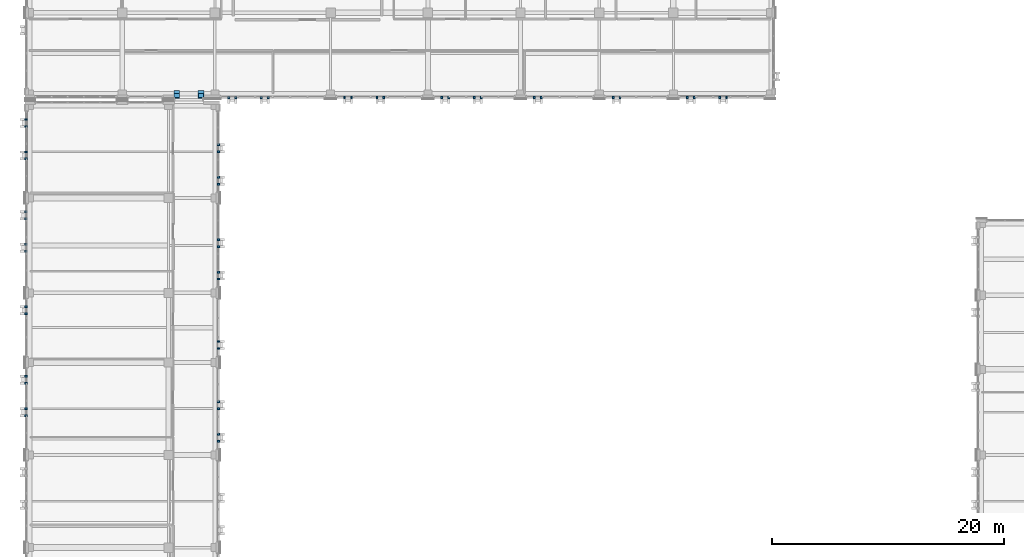
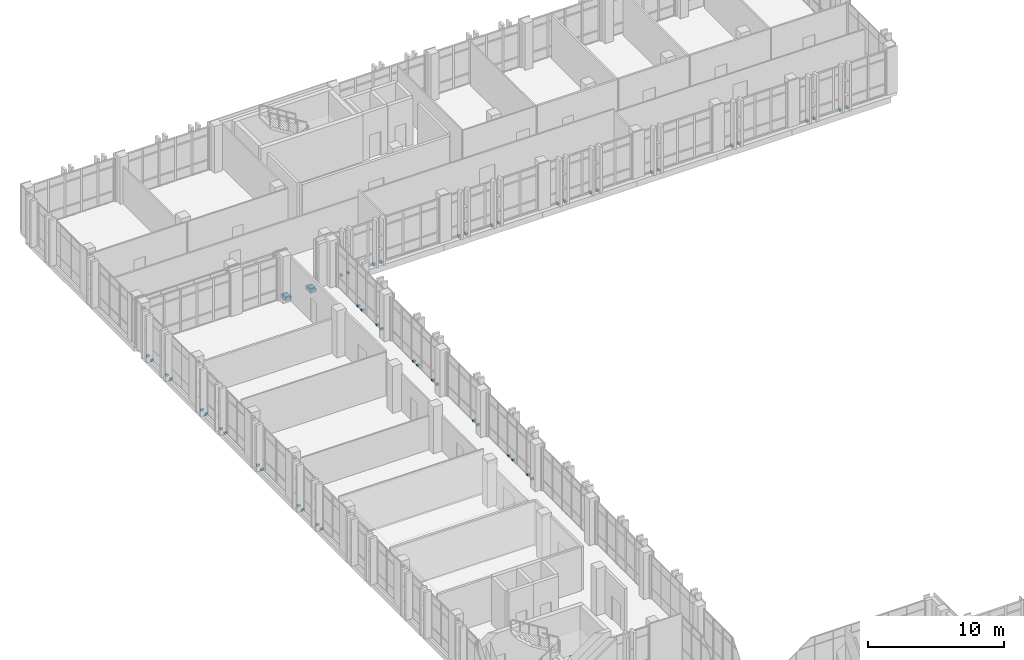
# One storey, part 144 of 165: 52 discrete accessories.
"""IFC4 building model written with IfcOpenShell, lengths in metres."""

from ifc_helpers import new_model, si_unit, direction, frame, origin, origin_2d, place, context, subcontext, project, spatial, rectangle, extrude, material, type_object, element, save


model = new_model("IFC4")

# Units and contexts
model_context = context("Model", 3, precision=1e-05, world=origin(), true_north=direction((0.0, 1.0)))
body_context = subcontext(model_context, "Body", "Model", "MODEL_VIEW")
ifc_project = project(units=[si_unit("LENGTHUNIT", "METRE"), si_unit("AREAUNIT", "SQUARE_METRE"), si_unit("VOLUMEUNIT", "CUBIC_METRE"), si_unit("PLANEANGLEUNIT", "RADIAN"), si_unit("MASSUNIT", "GRAM", prefix="KILO")], contexts=[model_context])

# Site, building, storey
site_placement = place(None, origin())
site = spatial("IfcSite", under=ifc_project, at=site_placement, CompositionType="ELEMENT")
building_placement = place(site_placement, origin())
building = spatial("IfcBuilding", under=site, at=building_placement, Name="Qalavern Law Courts", CompositionType="ELEMENT")
storey_placement = place(building_placement, frame((0.0, 0.0, 14.39990234375)))
storey = spatial("IfcBuildingStorey", under=building, at=storey_placement, Name="L03", CompositionType="ELEMENT", Elevation=14.39990234375)

# Discrete accessories
ifc_material_1 = material(Name="Steel S355", Category="steel")
discrete_accessory_type_1 = type_object("IfcDiscreteAccessoryType", Name="ENV-BRK-FIN", PredefinedType="BRACKET", material=ifc_material_1)
for number, where, z_axis, x_axis, name in (
    (1, (18.71240234375, 66.60009765625, -0.06982421875), (0.0, 0.0, 1.0), (1.0, 0.0, 0.0), "Stone blade anchor bracket 0313"),
    (2, (18.71240234375, 67.199951171875, -0.06982421875), (0.0, 0.0, 1.0), (1.0, 0.0, 0.0), "Stone blade anchor bracket 0314"),
    (3, (18.71240234375, 69.39990234375, -0.06982421875), (0.0, 0.0, 1.0), (1.0, 0.0, 0.0), "Stone blade anchor bracket 0315"),
    (4, (18.71240234375, 70.0, -0.06982421875), (0.0, 0.0, 1.0), (1.0, 0.0, 0.0), "Stone blade anchor bracket 0316"),
    (5, (18.71240234375, 74.60009765625, -0.06982421875), (0.0, 0.0, 1.0), (1.0, 0.0, 0.0), "Stone blade anchor bracket 0317"),
    (6, (18.71240234375, 75.199951171875, -0.06982421875), (0.0, 0.0, 1.0), (1.0, 0.0, 0.0), "Stone blade anchor bracket 0318"),
    (7, (18.71240234375, 80.60009765625, -0.06982421875), (0.0, 0.0, 1.0), (1.0, 0.0, 0.0), "Stone blade anchor bracket 0319"),
    (8, (18.71240234375, 81.199951171875, -0.06982421875), (0.0, 0.0, 1.0), (1.0, 0.0, 0.0), "Stone blade anchor bracket 0320"),
    (9, (18.71240234375, 83.39990234375, -0.06982421875), (0.0, 0.0, 1.0), (1.0, 0.0, 0.0), "Stone blade anchor bracket 0321"),
    (10, (18.71240234375, 84.0, -0.06982421875), (0.0, 0.0, 1.0), (1.0, 0.0, 0.0), "Stone blade anchor bracket 0322"),
    (11, (18.71240234375, 88.800048828125, -0.06982421875), (0.0, 0.0, 1.0), (1.0, 0.0, 0.0), "Stone blade anchor bracket 0323"),
    (12, (18.71240234375, 89.39990234375, -0.06982421875), (0.0, 0.0, 1.0), (1.0, 0.0, 0.0), "Stone blade anchor bracket 0324"),
    (13, (18.71240234375, 91.60009765625, -0.06982421875), (0.0, 0.0, 1.0), (1.0, 0.0, 0.0), "Stone blade anchor bracket 0325"),
    (14, (18.71240234375, 92.199951171875, -0.06982421875), (0.0, 0.0, 1.0), (1.0, 0.0, 0.0), "Stone blade anchor bracket 0326"),
    (15, (2.08740234375, 94.3798828125, -0.06982421875), (0.0, 0.0, 1.0), (-1.0, 0.0, 0.0), "Stone blade anchor bracket 0327"),
    (16, (2.08740234375, 93.780029296875, -0.06982421875), (0.0, 0.0, 1.0), (-1.0, 0.0, 0.0), "Stone blade anchor bracket 0328"),
    (17, (2.08740234375, 91.580078125, -0.06982421875), (0.0, 0.0, 1.0), (-1.0, 0.0, 0.0), "Stone blade anchor bracket 0329"),
    (18, (2.08740234375, 90.97998046875, -0.06982421875), (0.0, 0.0, 1.0), (-1.0, 0.0, 0.0), "Stone blade anchor bracket 0330"),
    (19, (2.08740234375, 86.39990234375, -0.06982421875), (0.0, 0.0, 1.0), (-1.0, 0.0, 0.0), "Stone blade anchor bracket 0331"),
    (20, (2.08740234375, 85.800048828125, -0.06982421875), (0.0, 0.0, 1.0), (-1.0, 0.0, 0.0), "Stone blade anchor bracket 0332"),
    (21, (2.08740234375, 83.60009765625, -0.06982421875), (0.0, 0.0, 1.0), (-1.0, 0.0, 0.0), "Stone blade anchor bracket 0333"),
    (22, (2.08740234375, 83.0, -0.06982421875), (0.0, 0.0, 1.0), (-1.0, 0.0, 0.0), "Stone blade anchor bracket 0334"),
    (23, (2.08740234375, 78.199951171875, -0.06982421875), (0.0, 0.0, 1.0), (-1.0, 0.0, 0.0), "Stone blade anchor bracket 0335"),
    (24, (2.08740234375, 77.60009765625, -0.06982421875), (0.0, 0.0, 1.0), (-1.0, 0.0, 0.0), "Stone blade anchor bracket 0336"),
    (25, (2.08740234375, 72.199951171875, -0.06982421875), (0.0, 0.0, 1.0), (-1.0, 0.0, 0.0), "Stone blade anchor bracket 0337"),
    (26, (2.08740234375, 71.60009765625, -0.06982421875), (0.0, 0.0, 1.0), (-1.0, 0.0, 0.0), "Stone blade anchor bracket 0338"),
    (27, (2.08740234375, 69.39990234375, -0.06982421875), (0.0, 0.0, 1.0), (-1.0, 0.0, 0.0), "Stone blade anchor bracket 0339"),
    (28, (2.08740234375, 68.800048828125, -0.06982421875), (0.0, 0.0, 1.0), (-1.0, 0.0, 0.0), "Stone blade anchor bracket 0340"),
    (29, (19.60009765625, 96.28759765625, -0.06982421875), (0.0, 0.0, 1.0), (0.0, -1.0, 0.0), "Stone blade anchor bracket 1009"),
    (30, (20.199951171875, 96.28759765625, -0.06982421875), (0.0, 0.0, 1.0), (0.0, -1.0, 0.0), "Stone blade anchor bracket 1010"),
    (31, (22.39990234375, 96.28759765625, -0.06982421875), (0.0, 0.0, 1.0), (0.0, -1.0, 0.0), "Stone blade anchor bracket 1011"),
    (32, (23.0, 96.28759765625, -0.06982421875), (0.0, 0.0, 1.0), (0.0, -1.0, 0.0), "Stone blade anchor bracket 1012"),
    (33, (29.60009765625, 96.28759765625, -0.06982421875), (0.0, 0.0, 1.0), (0.0, -1.0, 0.0), "Stone blade anchor bracket 1013"),
    (34, (30.199951171875, 96.28759765625, -0.06982421875), (0.0, 0.0, 1.0), (0.0, -1.0, 0.0), "Stone blade anchor bracket 1014"),
    (35, (32.39990234375, 96.28759765625, -0.06982421875), (0.0, 0.0, 1.0), (0.0, -1.0, 0.0), "Stone blade anchor bracket 1015"),
    (36, (33.0, 96.28759765625, -0.06982421875), (0.0, 0.0, 1.0), (0.0, -1.0, 0.0), "Stone blade anchor bracket 1016"),
    (37, (38.0, 96.28759765625, -0.06982421875), (0.0, 0.0, 1.0), (0.0, -1.0, 0.0), "Stone blade anchor bracket 1017"),
    (38, (38.60009765625, 96.28759765625, -0.06982421875), (0.0, 0.0, 1.0), (0.0, -1.0, 0.0), "Stone blade anchor bracket 1018"),
    (39, (40.800048828125, 96.28759765625, -0.06982421875), (0.0, 0.0, 1.0), (0.0, -1.0, 0.0), "Stone blade anchor bracket 1019"),
    (40, (41.39990234375, 96.28759765625, -0.06982421875), (0.0, 0.0, 1.0), (0.0, -1.0, 0.0), "Stone blade anchor bracket 1020"),
    (41, (46.0, 96.28759765625, -0.06982421875), (0.0, 0.0, 1.0), (0.0, -1.0, 0.0), "Stone blade anchor bracket 1021"),
    (42, (46.60009765625, 96.28759765625, -0.06982421875), (0.0, 0.0, 1.0), (0.0, -1.0, 0.0), "Stone blade anchor bracket 1022"),
    (43, (52.800048828125, 96.28759765625, -0.06982421875), (0.0, 0.0, 1.0), (0.0, -1.0, 0.0), "Stone blade anchor bracket 1023"),
    (44, (53.39990234375, 96.28759765625, -0.06982421875), (0.0, 0.0, 1.0), (0.0, -1.0, 0.0), "Stone blade anchor bracket 1024"),
    (45, (59.199951171875, 96.28759765625, -0.06982421875), (0.0, 0.0, 1.0), (0.0, -1.0, 0.0), "Stone blade anchor bracket 1025"),
    (46, (59.800048828125, 96.28759765625, -0.06982421875), (0.0, 0.0, 1.0), (0.0, -1.0, 0.0), "Stone blade anchor bracket 1026"),
    (47, (62.0, 96.28759765625, -0.06982421875), (0.0, 0.0, 1.0), (0.0, -1.0, 0.0), "Stone blade anchor bracket 1027"),
    (48, (62.60009765625, 96.28759765625, -0.06982421875), (0.0, 0.0, 1.0), (0.0, -1.0, 0.0), "Stone blade anchor bracket 1028"),
):
    element("IfcDiscreteAccessory", number, at=place(storey_placement, frame(where, z_axis=z_axis, x_axis=x_axis)), inside=storey, type_object=discrete_accessory_type_1, Name=name, PredefinedType="BRACKET", context=body_context, shape_type="SweptSolid", body=[
        extrude(rectangle(XDim=0.239990234375, YDim=0.159912109375, at=origin_2d()), origin(), (0.0, 0.0, 1.0), 0.179931640625),
    ])
ifc_material_2 = material(Name="Concrete C45/55", Category="concrete")
discrete_accessory_type_2 = type_object("IfcDiscreteAccessoryType", Name="STR-CORBEL-700", PredefinedType="BRACKET", material=ifc_material_2)
for number, where, z_axis, x_axis, name in (
    (49, (15.10009765625, 96.550048828125, -0.68505859375), (0.0, 0.0, 1.0), (1.0, 0.0, 0.0), "Bridge BR-V3-V5 700 mm corbel seat 1 L03"),
    (50, (17.199951171875, 96.550048828125, -0.68505859375), (0.0, 0.0, 1.0), (1.0, 0.0, 0.0), "Bridge BR-V3-V5 700 mm corbel seat 2 L03"),
):
    element("IfcDiscreteAccessory", number, at=place(storey_placement, frame(where, z_axis=z_axis, x_axis=x_axis)), inside=storey, type_object=discrete_accessory_type_2, Name=name, PredefinedType="BRACKET", context=body_context, shape_type="SweptSolid", body=[
        extrude(rectangle(XDim=0.5, YDim=0.699951171875, at=origin_2d()), origin(), (0.0, 0.0, 1.0), 0.320068359375),
    ])
discrete_accessory_type_3 = type_object("IfcDiscreteAccessoryType", Name="STR-SHOE-PTFE350", PredefinedType="SHOE", material=ifc_material_1)
for number, where, z_axis, x_axis, name in (
    (51, (15.10009765625, 96.449951171875, -0.364990234375), (0.0, 0.0, 1.0), (1.0, 0.0, 0.0), "Seismic bridge PTFE sliding bearing 51"),
    (52, (17.199951171875, 96.449951171875, -0.364990234375), (0.0, 0.0, 1.0), (1.0, 0.0, 0.0), "Seismic bridge PTFE sliding bearing 52"),
):
    element("IfcDiscreteAccessory", number, at=place(storey_placement, frame(where, z_axis=z_axis, x_axis=x_axis)), inside=storey, type_object=discrete_accessory_type_3, Name=name, PredefinedType="SHOE", context=body_context, shape_type="SweptSolid", body=[
        extrude(rectangle(XDim=0.449951171875, YDim=0.35009765625, at=origin_2d()), origin(), (0.0, 0.0, 1.0), 0.080078125),
    ])

save(model, "model.ifc")
